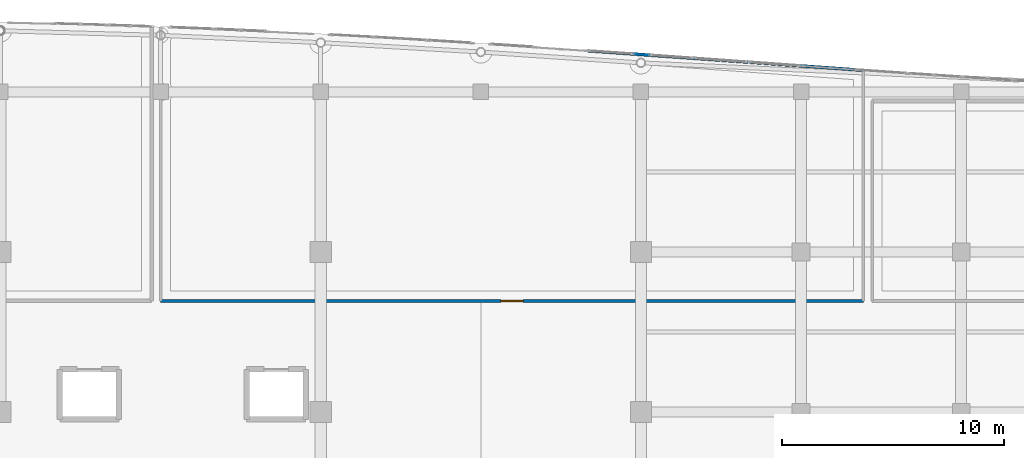
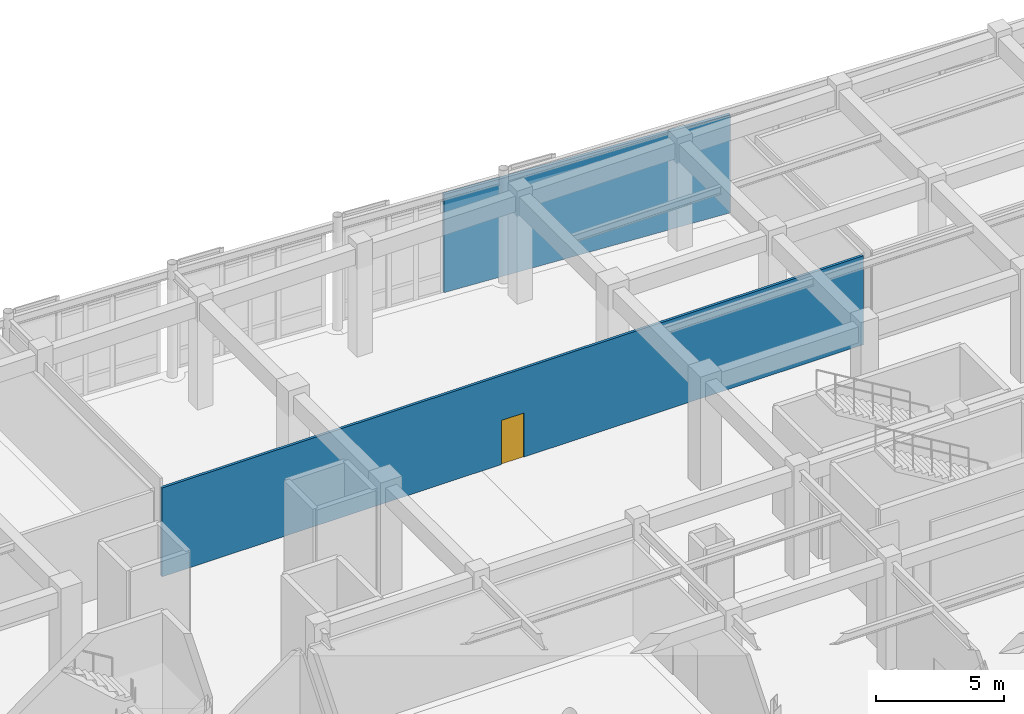
# One storey, part 79 of 102: 2 walls, 1 door, 1 opening.
"""IFC4 building model written with IfcOpenShell, lengths in metres."""

from ifc_helpers import new_model, si_unit, direction, frame, frame_2d, origin, place, context, subcontext, project, spatial, rectangle, extrude, material, layer, layer_set, type_object, element, fill, save


model = new_model("IFC4")

# Units and contexts
model_context = context("Model", 3, precision=1e-05, world=origin(), true_north=direction((0.0, 1.0)))
body_context = subcontext(model_context, "Body", "Model", "MODEL_VIEW")
ifc_project = project(units=[si_unit("LENGTHUNIT", "METRE"), si_unit("AREAUNIT", "SQUARE_METRE"), si_unit("VOLUMEUNIT", "CUBIC_METRE"), si_unit("PLANEANGLEUNIT", "RADIAN"), si_unit("MASSUNIT", "GRAM", prefix="KILO")], contexts=[model_context])

# Site, building, storey
site_placement = place(None, origin())
site = spatial("IfcSite", under=ifc_project, at=site_placement, CompositionType="ELEMENT")
building_placement = place(site_placement, origin())
building = spatial("IfcBuilding", under=site, at=building_placement, Name="Carrowvane Square Congress Hotel", CompositionType="ELEMENT")
storey_placement = place(building_placement, origin())
storey = spatial("IfcBuildingStorey", under=building, at=storey_placement, Name="L00", CompositionType="ELEMENT", Elevation=0.0)

# Wall, opening, door
ifc_material_1 = material(Name="Acoustic gypsum board", Category="gypsum")
ifc_layer_1 = layer(ifc_material_1, 0.117919921875)
ifc_layer_set_1 = layer_set([ifc_layer_1], Name="Acoustic gypsum board")
wall_type_1 = type_object("IfcWallType", Name="WL-PRT-118", PredefinedType="PARTITIONING", material=ifc_layer_set_1)
wall_1_placement = place(storey_placement, frame((144.0, 104.0, 0.0), z_axis=(0.0, 0.0, 1.0), x_axis=(-1.0, 0.0, 0.0)))
wall_1 = element("IfcWall", 1, at=wall_1_placement, inside=storey, type_object=wall_type_1, Name="L00 Carrowvane Brasserie Restaurant partition", PredefinedType="PARTITIONING", context=body_context, shape_type="SweptSolid", body=[
    extrude(rectangle(XDim=31.60009765625, YDim=0.117919921875, at=frame_2d((15.800048828125, 0.0))), origin(), (0.0, 0.0, 1.0), 4.235107421875),
])
opening_placement = place(wall_1_placement, frame((15.300048828125, 0.0, 0.0)))
opening = element("IfcOpeningElement", 2, at=opening_placement, cuts=wall_1, Name="Opening ID-06", PredefinedType="OPENING", context=body_context, shape_type="SweptSolid", body=[
    extrude(rectangle(XDim=1.0, YDim=2.10009765625, at=frame_2d((0.5, 1.050048828125))), frame((0.0, 0.06884765625, 0.0), z_axis=(0.0, -1.0, 0.0), x_axis=(1.0, 0.0, 0.0)), (0.0, 0.0, 1.0), 0.137939453125),
])
ifc_material_2 = material(Name="European oak timber", Category="wood")
door_type = type_object("IfcDoorType", Name="DR-INT-1000x2100", OperationType="NOTDEFINED", PredefinedType="DOOR", material=ifc_material_2)
door_placement = place(opening_placement, origin())
door = element("IfcDoor", 3, at=door_placement, inside=storey, type_object=door_type, Name="L00 Carrowvane Brasserie Restaurant entrance door", OperationType="SINGLE_SWING_LEFT", OverallHeight=2.10009765625, OverallWidth=1.0, PredefinedType="DOOR", context=body_context, shape_type="SweptSolid", body=[
    extrude(rectangle(XDim=1.0, YDim=2.10009765625, at=frame_2d((0.5, 1.050048828125))), frame((0.0, 0.02490234375, 0.0), z_axis=(0.0, -1.0, 0.0), x_axis=(1.0, 0.0, 0.0)), (0.0, 0.0, 1.0), 0.050048828125),
])
fill(opening, door)

# Wall
ifc_material_3 = material(Name="Acoustic gypsum board", Category="gypsum")
ifc_layer_2 = layer(ifc_material_3, 0.137939453125)
ifc_layer_set_2 = layer_set([ifc_layer_2], Name="Acoustic gypsum board")
wall_type_2 = type_object("IfcWallType", Name="WL-PRT-138", PredefinedType="PARTITIONING", material=ifc_layer_set_2)
wall_2_placement = place(storey_placement, frame((131.60009765625, 115.253662109375, 0.0), z_axis=(0.0, 0.0, 1.0), x_axis=(0.997491888382, -0.070780877451, 0.0)))
element("IfcWall", 4, at=wall_2_placement, inside=storey, type_object=wall_type_2, Name="L00 Carrowvane Brasserie Restaurant partition", PredefinedType="PARTITIONING", context=body_context, shape_type="SweptSolid", body=[
    extrude(rectangle(XDim=12.43115234375, YDim=0.137939453125, at=frame_2d((6.215576171875, 0.0))), origin(), (0.0, 0.0, 1.0), 4.675537109375),
])

save(model, "model.ifc")
